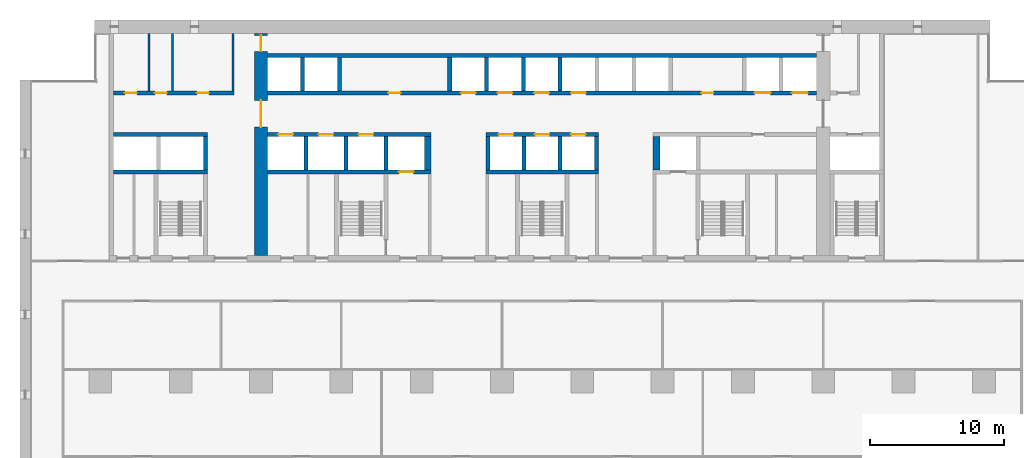
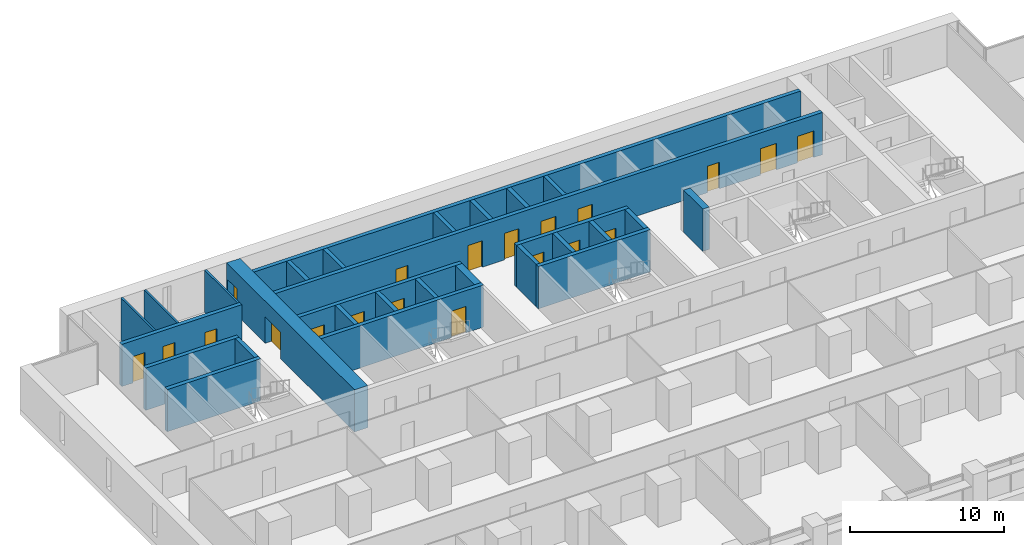
# One storey, part 11 of 18: 29 walls, 20 doors, 20 openings.
"""IFC4 building model written with IfcOpenShell, lengths in metres."""

from ifc_helpers import new_model, si_unit, direction, frame, frame_2d, origin, place, context, subcontext, project, spatial, rectangle, extrude, material, layer, layer_set, type_object, element, fill, save


model = new_model("IFC4")

# Units and contexts
model_context = context("Model", 3, precision=1e-05, world=origin(), true_north=direction((0.0, 1.0)))
body_context = subcontext(model_context, "Body", "Model", "MODEL_VIEW")
ifc_project = project(units=[si_unit("LENGTHUNIT", "METRE"), si_unit("AREAUNIT", "SQUARE_METRE"), si_unit("VOLUMEUNIT", "CUBIC_METRE"), si_unit("PLANEANGLEUNIT", "RADIAN"), si_unit("MASSUNIT", "GRAM", prefix="KILO")], contexts=[model_context])

# Site, building, storey
site_placement = place(None, origin())
site = spatial("IfcSite", under=ifc_project, at=site_placement, CompositionType="ELEMENT")
building_placement = place(site_placement, origin())
building = spatial("IfcBuilding", under=site, at=building_placement, Name="Calvaro Tower", CompositionType="ELEMENT")
storey_placement = place(building_placement, frame((0.0, 0.0, 45.0)))
storey = spatial("IfcBuildingStorey", under=building, at=storey_placement, Name="L10", CompositionType="ELEMENT", Elevation=45.0)

# Walls
ifc_material_1 = material(Name="Blockwork partition", Category="masonry")
ifc_layer_1 = layer(ifc_material_1, 0.14990234375)
ifc_layer_set_1 = layer_set([ifc_layer_1], Name="Blockwork partition")
wall_type_1 = type_object("IfcWallType", Name="Core partition 150 EI 60", PredefinedType="PARTITIONING", material=ifc_layer_set_1)
for number, where, z_axis, x_axis, name in (
    (1, (9.64990234375, 40.699951171875, 0.0), (0.0, 0.0, 1.0), (0.0, 1.0, 0.0), "Core partition"),
    (2, (11.39990234375, 40.699951171875, 0.0), (0.0, 0.0, 1.0), (0.0, 1.0, 0.0), "Core partition"),
):
    element("IfcWall", number, at=place(storey_placement, frame(where, z_axis=z_axis, x_axis=x_axis)), inside=storey, type_object=wall_type_1, Name=name, PredefinedType="PARTITIONING", context=body_context, shape_type="SweptSolid", body=[
        extrude(rectangle(XDim=4.300048828125, YDim=0.14990234375, at=frame_2d((2.14990234375, 0.0))), origin(), (0.0, 0.0, 1.0), 3.35009765625),
    ])
ifc_material_2 = material(Name="Blockwork partition", Category="masonry")
ifc_layer_2 = layer(ifc_material_2, 0.14990234375)
ifc_layer_set_2 = layer_set([ifc_layer_2], Name="Blockwork partition")
wall_type_2 = type_object("IfcWallType", Name="Core partition 150 REI 120", PredefinedType="PARTITIONING", material=ifc_layer_set_2)
wall_1_placement = place(storey_placement, frame((15.925048828125, 40.699951171875, 0.0), z_axis=(0.0, 0.0, 1.0), x_axis=(0.0, 1.0, 0.0)))
element("IfcWall", 3, at=wall_1_placement, inside=storey, type_object=wall_type_2, Name="Core partition", PredefinedType="PARTITIONING", context=body_context, shape_type="SweptSolid", body=[
    extrude(rectangle(XDim=4.300048828125, YDim=0.14990234375, at=frame_2d((2.14990234375, 0.0))), origin(), (0.0, 0.0, 1.0), 3.35009765625),
])

# Wall, openings, doors
ifc_material_3 = material(Name="Blockwork partition", Category="masonry")
ifc_layer_3 = layer(ifc_material_3, 0.300048828125)
ifc_layer_set_3 = layer_set([ifc_layer_3], Name="Blockwork partition")
wall_type_3 = type_object("IfcWallType", Name="Core partition 300 REI 120", PredefinedType="PARTITIONING", material=ifc_layer_set_3)
wall_2_placement = place(storey_placement, frame((7.0, 40.550048828125, 0.0), z_axis=(0.0, 0.0, 1.0), x_axis=(1.0, 0.0, 0.0)))
wall_2 = element("IfcWall", 4, at=wall_2_placement, inside=storey, type_object=wall_type_3, Name="Core partition", PredefinedType="PARTITIONING", context=body_context, shape_type="SweptSolid", body=[
    extrude(rectangle(XDim=9.0, YDim=0.300048828125, at=frame_2d((4.5, 0.0))), origin(), (0.0, 0.0, 1.0), 3.35009765625),
])
opening_1_placement = place(wall_2_placement, frame((0.83740234375, 0.0, 0.0)))
opening_1 = element("IfcOpeningElement", 5, at=opening_1_placement, cuts=wall_2, Name="Opening RD9", PredefinedType="OPENING", context=body_context, shape_type="SweptSolid", body=[
    extrude(rectangle(XDim=0.89990234375, YDim=2.10009765625, at=frame_2d((0.449951171875, 1.050048828125))), frame((0.0, 0.159912109375, 0.0), z_axis=(0.0, -1.0, 0.0), x_axis=(1.0, 0.0, 0.0)), (0.0, 0.0, 1.0), 0.320068359375),
])
opening_2_placement = place(wall_2_placement, frame((3.074951171875, 0.0, 0.0)))
opening_2 = element("IfcOpeningElement", 6, at=opening_2_placement, cuts=wall_2, Name="Opening RD9", PredefinedType="OPENING", context=body_context, shape_type="SweptSolid", body=[
    extrude(rectangle(XDim=0.89990234375, YDim=2.10009765625, at=frame_2d((0.449951171875, 1.050048828125))), frame((0.0, 0.159912109375, 0.0), z_axis=(0.0, -1.0, 0.0), x_axis=(1.0, 0.0, 0.0)), (0.0, 0.0, 1.0), 0.320068359375),
])
opening_3_placement = place(wall_2_placement, frame((6.21240234375, 0.0, 0.0)))
opening_3 = element("IfcOpeningElement", 7, at=opening_3_placement, cuts=wall_2, Name="Opening RD9", PredefinedType="OPENING", context=body_context, shape_type="SweptSolid", body=[
    extrude(rectangle(XDim=0.89990234375, YDim=2.10009765625, at=frame_2d((0.449951171875, 1.050048828125))), frame((0.0, 0.159912109375, 0.0), z_axis=(0.0, -1.0, 0.0), x_axis=(1.0, 0.0, 0.0)), (0.0, 0.0, 1.0), 0.320068359375),
])
ifc_material_4 = material(Name="Steel door set", Category="steel")
door_type_1 = type_object("IfcDoorType", Name="Room door 900", OperationType="SINGLE_SWING_LEFT", PredefinedType="DOOR", material=ifc_material_4)
door_1_placement = place(opening_1_placement, origin())
door_1 = element("IfcDoor", 8, at=door_1_placement, inside=storey, type_object=door_type_1, Name="Room door", OperationType="SINGLE_SWING_LEFT", OverallHeight=2.10009765625, OverallWidth=0.89990234375, PredefinedType="DOOR", context=body_context, shape_type="SweptSolid", body=[
    extrude(rectangle(XDim=0.89990234375, YDim=2.10009765625, at=frame_2d((0.449951171875, 1.050048828125))), frame((0.0, 0.02490234375, 0.0), z_axis=(0.0, -1.0, 0.0), x_axis=(1.0, 0.0, 0.0)), (0.0, 0.0, 1.0), 0.050048828125),
])
fill(opening_1, door_1)
door_2_placement = place(opening_2_placement, origin())
door_2 = element("IfcDoor", 9, at=door_2_placement, inside=storey, type_object=door_type_1, Name="Room door", OperationType="SINGLE_SWING_RIGHT", OverallHeight=2.10009765625, OverallWidth=0.89990234375, PredefinedType="DOOR", context=body_context, shape_type="SweptSolid", body=[
    extrude(rectangle(XDim=0.89990234375, YDim=2.10009765625, at=frame_2d((0.449951171875, 1.050048828125))), frame((0.0, 0.02490234375, 0.0), z_axis=(0.0, -1.0, 0.0), x_axis=(1.0, 0.0, 0.0)), (0.0, 0.0, 1.0), 0.050048828125),
])
fill(opening_2, door_2)
door_3_placement = place(opening_3_placement, origin())
door_3 = element("IfcDoor", 10, at=door_3_placement, inside=storey, type_object=door_type_1, Name="Room door", OperationType="SINGLE_SWING_LEFT", OverallHeight=2.10009765625, OverallWidth=0.89990234375, PredefinedType="DOOR", context=body_context, shape_type="SweptSolid", body=[
    extrude(rectangle(XDim=0.89990234375, YDim=2.10009765625, at=frame_2d((0.449951171875, 1.050048828125))), frame((0.0, 0.02490234375, 0.0), z_axis=(0.0, -1.0, 0.0), x_axis=(1.0, 0.0, 0.0)), (0.0, 0.0, 1.0), 0.050048828125),
])
fill(opening_3, door_3)

ifc_material_5 = material(Name="Concrete C80/95", Category="concrete")
ifc_layer_4 = layer(ifc_material_5, 1.0)
ifc_layer_set_4 = layer_set([ifc_layer_4], Name="Concrete C80/95")
wall_type_4 = type_object("IfcWallType", Name="Core wall C80/95 1000", PredefinedType="SHEAR", material=ifc_layer_set_4)
wall_3_placement = place(storey_placement, frame((18.0, 28.39990234375, 0.0), z_axis=(0.0, 0.0, 1.0), x_axis=(0.0, 1.0, 0.0)))
wall_3 = element("IfcWall", 11, at=wall_3_placement, inside=storey, type_object=wall_type_4, Name="Core wall, cross shear wall", PredefinedType="SHEAR", context=body_context, shape_type="SweptSolid", body=[
    extrude(rectangle(XDim=16.60009765625, YDim=1.0, at=frame_2d((8.300048828125, 0.0))), origin(), (0.0, 0.0, 1.0), 3.35009765625),
])
opening_4_placement = place(wall_3_placement, frame((9.60009765625, 0.0, 0.0)))
opening_4 = element("IfcOpeningElement", 12, at=opening_4_placement, cuts=wall_3, Name="Opening DD20D", PredefinedType="OPENING", context=body_context, shape_type="SweptSolid", body=[
    extrude(rectangle(XDim=2.0, YDim=2.10009765625, at=frame_2d((1.0, 1.050048828125))), frame((0.0, 0.510009765625, 0.0), z_axis=(0.0, -1.0, 0.0), x_axis=(1.0, 0.0, 0.0)), (0.0, 0.0, 1.0), 1.02001953125),
])
opening_5_placement = place(wall_3_placement, frame((15.25, 0.0, 0.0)))
opening_5 = element("IfcOpeningElement", 13, at=opening_5_placement, cuts=wall_3, Name="Opening FD12C", PredefinedType="OPENING", context=body_context, shape_type="SweptSolid", body=[
    extrude(rectangle(XDim=1.199951171875, YDim=2.10009765625, at=frame_2d((0.60009765625, 1.050048828125))), frame((0.0, 0.510009765625, 0.0), z_axis=(0.0, -1.0, 0.0), x_axis=(1.0, 0.0, 0.0)), (0.0, 0.0, 1.0), 1.02001953125),
])
ifc_material_6 = material(Name="Steel door set", Category="steel")
door_type_2 = type_object("IfcDoorType", Name="Fire door 1200 FD30", OperationType="SINGLE_SWING_LEFT", PredefinedType="DOOR", material=ifc_material_6)
door_4_placement = place(opening_5_placement, origin())
door_4 = element("IfcDoor", 14, at=door_4_placement, inside=storey, type_object=door_type_2, Name="Fire door", OperationType="SINGLE_SWING_LEFT", OverallHeight=2.10009765625, OverallWidth=1.199951171875, PredefinedType="DOOR", context=body_context, shape_type="SweptSolid", body=[
    extrude(rectangle(XDim=1.199951171875, YDim=2.10009765625, at=frame_2d((0.60009765625, 1.050048828125))), frame((0.0, 0.02490234375, 0.0), z_axis=(0.0, -1.0, 0.0), x_axis=(1.0, 0.0, 0.0)), (0.0, 0.0, 1.0), 0.050048828125),
])
fill(opening_5, door_4)
ifc_material_7 = material(Name="Steel door set", Category="steel")
door_type_3 = type_object("IfcDoorType", Name="Lobby double door 2000 FD30S", OperationType="DOUBLE_DOOR_SINGLE_SWING", PredefinedType="DOOR", material=ifc_material_7)
door_5_placement = place(opening_4_placement, origin())
door_5 = element("IfcDoor", 15, at=door_5_placement, inside=storey, type_object=door_type_3, Name="Lobby double door", OperationType="DOUBLE_DOOR_SINGLE_SWING", OverallHeight=2.10009765625, OverallWidth=2.0, PredefinedType="DOOR", context=body_context, shape_type="SweptSolid", body=[
    extrude(rectangle(XDim=2.0, YDim=2.10009765625, at=frame_2d((1.0, 1.050048828125))), frame((0.0, 0.02490234375, 0.0), z_axis=(0.0, -1.0, 0.0), x_axis=(1.0, 0.0, 0.0)), (0.0, 0.0, 1.0), 0.050048828125),
])
fill(opening_4, door_5)

# Wall
ifc_material_8 = material(Name="Concrete C80/95", Category="concrete")
ifc_layer_5 = layer(ifc_material_8, 0.300048828125)
ifc_layer_set_5 = layer_set([ifc_layer_5], Name="Concrete C80/95")
wall_type_5 = type_object("IfcWallType", Name="Core wall C80/95 300", PredefinedType="SHEAR", material=ifc_layer_set_5)
wall_4_placement = place(storey_placement, frame((7.0, 34.64990234375, 0.0), z_axis=(0.0, 0.0, 1.0), x_axis=(1.0, 0.0, 0.0)))
element("IfcWall", 16, at=wall_4_placement, inside=storey, type_object=wall_type_5, Name="Core wall, lift shaft", PredefinedType="SHEAR", context=body_context, shape_type="SweptSolid", body=[
    extrude(rectangle(XDim=7.0, YDim=0.300048828125, at=frame_2d((3.5, 0.0))), origin(), (0.0, 0.0, 1.0), 3.35009765625),
])

# Wall, opening, door
wall_5_placement = place(storey_placement, frame((18.5, 34.64990234375, 0.0), z_axis=(0.0, 0.0, 1.0), x_axis=(1.0, 0.0, 0.0)))
wall_5 = element("IfcWall", 17, at=wall_5_placement, inside=storey, type_object=wall_type_5, Name="Core wall, lift shaft", PredefinedType="SHEAR", context=body_context, shape_type="SweptSolid", body=[
    extrude(rectangle(XDim=12.199951171875, YDim=0.300048828125, at=frame_2d((6.10009765625, 0.0))), origin(), (0.0, 0.0, 1.0), 3.35009765625),
])
opening_6_placement = place(wall_5_placement, frame((9.800048828125, 0.0, 0.0)))
opening_6 = element("IfcOpeningElement", 18, at=opening_6_placement, cuts=wall_5, Name="Opening FF1", PredefinedType="OPENING", context=body_context, shape_type="SweptSolid", body=[
    extrude(rectangle(XDim=1.10009765625, YDim=2.10009765625, at=frame_2d((0.550048828125, 1.050048828125))), frame((0.0, 0.159912109375, 0.0), z_axis=(0.0, -1.0, 0.0), x_axis=(1.0, 0.0, 0.0)), (0.0, 0.0, 1.0), 0.320068359375),
])
ifc_material_9 = material(Name="Stainless steel", Category="steel")
door_type_4 = type_object("IfcDoorType", Name="Landing door 1100 E 60", OperationType="SLIDING_TO_LEFT", PredefinedType="DOOR", material=ifc_material_9)
door_6_placement = place(opening_6_placement, origin())
door_6 = element("IfcDoor", 19, at=door_6_placement, inside=storey, type_object=door_type_4, Name="Landing door FF1", OperationType="SLIDING_TO_LEFT", OverallHeight=2.10009765625, OverallWidth=1.10009765625, PredefinedType="DOOR", context=body_context, shape_type="SweptSolid", body=[
    extrude(rectangle(XDim=1.10009765625, YDim=2.10009765625, at=frame_2d((0.550048828125, 1.050048828125))), frame((0.0, 0.02490234375, 0.0), z_axis=(0.0, -1.0, 0.0), x_axis=(1.0, 0.0, 0.0)), (0.0, 0.0, 1.0), 0.050048828125),
])
fill(opening_6, door_6)

# Walls
wall_6_placement = place(storey_placement, frame((34.800048828125, 34.64990234375, 0.0), z_axis=(0.0, 0.0, 1.0), x_axis=(1.0, 0.0, 0.0)))
element("IfcWall", 20, at=wall_6_placement, inside=storey, type_object=wall_type_5, Name="Core wall, lift shaft", PredefinedType="SHEAR", context=body_context, shape_type="SweptSolid", body=[
    extrude(rectangle(XDim=8.39990234375, YDim=0.300048828125, at=frame_2d((4.199951171875, 0.0))), origin(), (0.0, 0.0, 1.0), 3.35009765625),
])
wall_7_placement = place(storey_placement, frame((7.0, 37.449951171875, 0.0), z_axis=(0.0, 0.0, 1.0), x_axis=(1.0, 0.0, 0.0)))
element("IfcWall", 21, at=wall_7_placement, inside=storey, type_object=wall_type_5, Name="Core wall, lift shaft", PredefinedType="SHEAR", context=body_context, shape_type="SweptSolid", body=[
    extrude(rectangle(XDim=7.0, YDim=0.300048828125, at=frame_2d((3.5, 0.0))), origin(), (0.0, 0.0, 1.0), 3.35009765625),
])

# Wall, openings, doors
wall_8_placement = place(storey_placement, frame((18.5, 37.449951171875, 0.0), z_axis=(0.0, 0.0, 1.0), x_axis=(1.0, 0.0, 0.0)))
wall_8 = element("IfcWall", 22, at=wall_8_placement, inside=storey, type_object=wall_type_5, Name="Core wall, lift shaft", PredefinedType="SHEAR", context=body_context, shape_type="SweptSolid", body=[
    extrude(rectangle(XDim=12.199951171875, YDim=0.300048828125, at=frame_2d((6.10009765625, 0.0))), origin(), (0.0, 0.0, 1.0), 3.35009765625),
])
opening_7_placement = place(wall_8_placement, frame((0.800048828125, 0.0, 0.0)))
opening_7 = element("IfcOpeningElement", 23, at=opening_7_placement, cuts=wall_8, Name="Opening LR1", PredefinedType="OPENING", context=body_context, shape_type="SweptSolid", body=[
    extrude(rectangle(XDim=1.10009765625, YDim=2.10009765625, at=frame_2d((0.550048828125, 1.050048828125))), frame((0.0, 0.159912109375, 0.0), z_axis=(0.0, -1.0, 0.0), x_axis=(1.0, 0.0, 0.0)), (0.0, 0.0, 1.0), 0.320068359375),
])
opening_8_placement = place(wall_8_placement, frame((3.800048828125, 0.0, 0.0)))
opening_8 = element("IfcOpeningElement", 24, at=opening_8_placement, cuts=wall_8, Name="Opening LR2", PredefinedType="OPENING", context=body_context, shape_type="SweptSolid", body=[
    extrude(rectangle(XDim=1.10009765625, YDim=2.10009765625, at=frame_2d((0.550048828125, 1.050048828125))), frame((0.0, 0.159912109375, 0.0), z_axis=(0.0, -1.0, 0.0), x_axis=(1.0, 0.0, 0.0)), (0.0, 0.0, 1.0), 0.320068359375),
])
opening_9_placement = place(wall_8_placement, frame((6.800048828125, 0.0, 0.0)))
opening_9 = element("IfcOpeningElement", 25, at=opening_9_placement, cuts=wall_8, Name="Opening LR3", PredefinedType="OPENING", context=body_context, shape_type="SweptSolid", body=[
    extrude(rectangle(XDim=1.10009765625, YDim=2.10009765625, at=frame_2d((0.550048828125, 1.050048828125))), frame((0.0, 0.159912109375, 0.0), z_axis=(0.0, -1.0, 0.0), x_axis=(1.0, 0.0, 0.0)), (0.0, 0.0, 1.0), 0.320068359375),
])
door_7_placement = place(opening_7_placement, origin())
door_7 = element("IfcDoor", 26, at=door_7_placement, inside=storey, type_object=door_type_4, Name="Landing door LR1", OperationType="SLIDING_TO_LEFT", OverallHeight=2.10009765625, OverallWidth=1.10009765625, PredefinedType="DOOR", context=body_context, shape_type="SweptSolid", body=[
    extrude(rectangle(XDim=1.10009765625, YDim=2.10009765625, at=frame_2d((0.550048828125, 1.050048828125))), frame((0.0, 0.02490234375, 0.0), z_axis=(0.0, -1.0, 0.0), x_axis=(1.0, 0.0, 0.0)), (0.0, 0.0, 1.0), 0.050048828125),
])
fill(opening_7, door_7)
door_8_placement = place(opening_8_placement, origin())
door_8 = element("IfcDoor", 27, at=door_8_placement, inside=storey, type_object=door_type_4, Name="Landing door LR2", OperationType="SLIDING_TO_LEFT", OverallHeight=2.10009765625, OverallWidth=1.10009765625, PredefinedType="DOOR", context=body_context, shape_type="SweptSolid", body=[
    extrude(rectangle(XDim=1.10009765625, YDim=2.10009765625, at=frame_2d((0.550048828125, 1.050048828125))), frame((0.0, 0.02490234375, 0.0), z_axis=(0.0, -1.0, 0.0), x_axis=(1.0, 0.0, 0.0)), (0.0, 0.0, 1.0), 0.050048828125),
])
fill(opening_8, door_8)
door_9_placement = place(opening_9_placement, origin())
door_9 = element("IfcDoor", 28, at=door_9_placement, inside=storey, type_object=door_type_4, Name="Landing door LR3", OperationType="SLIDING_TO_LEFT", OverallHeight=2.10009765625, OverallWidth=1.10009765625, PredefinedType="DOOR", context=body_context, shape_type="SweptSolid", body=[
    extrude(rectangle(XDim=1.10009765625, YDim=2.10009765625, at=frame_2d((0.550048828125, 1.050048828125))), frame((0.0, 0.02490234375, 0.0), z_axis=(0.0, -1.0, 0.0), x_axis=(1.0, 0.0, 0.0)), (0.0, 0.0, 1.0), 0.050048828125),
])
fill(opening_9, door_9)

wall_9_placement = place(storey_placement, frame((34.800048828125, 37.449951171875, 0.0), z_axis=(0.0, 0.0, 1.0), x_axis=(1.0, 0.0, 0.0)))
wall_9 = element("IfcWall", 29, at=wall_9_placement, inside=storey, type_object=wall_type_5, Name="Core wall, lift shaft", PredefinedType="SHEAR", context=body_context, shape_type="SweptSolid", body=[
    extrude(rectangle(XDim=8.39990234375, YDim=0.300048828125, at=frame_2d((4.199951171875, 0.0))), origin(), (0.0, 0.0, 1.0), 3.35009765625),
])
opening_10_placement = place(wall_9_placement, frame((0.949951171875, 0.0, 0.0)))
opening_10 = element("IfcOpeningElement", 30, at=opening_10_placement, cuts=wall_9, Name="Opening LR4", PredefinedType="OPENING", context=body_context, shape_type="SweptSolid", body=[
    extrude(rectangle(XDim=1.10009765625, YDim=2.10009765625, at=frame_2d((0.550048828125, 1.050048828125))), frame((0.0, 0.159912109375, 0.0), z_axis=(0.0, -1.0, 0.0), x_axis=(1.0, 0.0, 0.0)), (0.0, 0.0, 1.0), 0.320068359375),
])
opening_11_placement = place(wall_9_placement, frame((3.64990234375, 0.0, 0.0)))
opening_11 = element("IfcOpeningElement", 31, at=opening_11_placement, cuts=wall_9, Name="Opening LR5", PredefinedType="OPENING", context=body_context, shape_type="SweptSolid", body=[
    extrude(rectangle(XDim=1.10009765625, YDim=2.10009765625, at=frame_2d((0.550048828125, 1.050048828125))), frame((0.0, 0.159912109375, 0.0), z_axis=(0.0, -1.0, 0.0), x_axis=(1.0, 0.0, 0.0)), (0.0, 0.0, 1.0), 0.320068359375),
])
opening_12_placement = place(wall_9_placement, frame((6.35009765625, 0.0, 0.0)))
opening_12 = element("IfcOpeningElement", 32, at=opening_12_placement, cuts=wall_9, Name="Opening LR6", PredefinedType="OPENING", context=body_context, shape_type="SweptSolid", body=[
    extrude(rectangle(XDim=1.10009765625, YDim=2.10009765625, at=frame_2d((0.550048828125, 1.050048828125))), frame((0.0, 0.159912109375, 0.0), z_axis=(0.0, -1.0, 0.0), x_axis=(1.0, 0.0, 0.0)), (0.0, 0.0, 1.0), 0.320068359375),
])
door_10_placement = place(opening_10_placement, origin())
door_10 = element("IfcDoor", 33, at=door_10_placement, inside=storey, type_object=door_type_4, Name="Landing door LR4", OperationType="SLIDING_TO_LEFT", OverallHeight=2.10009765625, OverallWidth=1.10009765625, PredefinedType="DOOR", context=body_context, shape_type="SweptSolid", body=[
    extrude(rectangle(XDim=1.10009765625, YDim=2.10009765625, at=frame_2d((0.550048828125, 1.050048828125))), frame((0.0, 0.02490234375, 0.0), z_axis=(0.0, -1.0, 0.0), x_axis=(1.0, 0.0, 0.0)), (0.0, 0.0, 1.0), 0.050048828125),
])
fill(opening_10, door_10)
door_11_placement = place(opening_11_placement, origin())
door_11 = element("IfcDoor", 34, at=door_11_placement, inside=storey, type_object=door_type_4, Name="Landing door LR5", OperationType="SLIDING_TO_LEFT", OverallHeight=2.10009765625, OverallWidth=1.10009765625, PredefinedType="DOOR", context=body_context, shape_type="SweptSolid", body=[
    extrude(rectangle(XDim=1.10009765625, YDim=2.10009765625, at=frame_2d((0.550048828125, 1.050048828125))), frame((0.0, 0.02490234375, 0.0), z_axis=(0.0, -1.0, 0.0), x_axis=(1.0, 0.0, 0.0)), (0.0, 0.0, 1.0), 0.050048828125),
])
fill(opening_11, door_11)
door_12_placement = place(opening_12_placement, origin())
door_12 = element("IfcDoor", 35, at=door_12_placement, inside=storey, type_object=door_type_4, Name="Landing door LR6", OperationType="SLIDING_TO_LEFT", OverallHeight=2.10009765625, OverallWidth=1.10009765625, PredefinedType="DOOR", context=body_context, shape_type="SweptSolid", body=[
    extrude(rectangle(XDim=1.10009765625, YDim=2.10009765625, at=frame_2d((0.550048828125, 1.050048828125))), frame((0.0, 0.02490234375, 0.0), z_axis=(0.0, -1.0, 0.0), x_axis=(1.0, 0.0, 0.0)), (0.0, 0.0, 1.0), 0.050048828125),
])
fill(opening_12, door_12)

# Walls
for number, where, z_axis, x_axis, name in (
    (36, (27.35009765625, 34.800048828125, 0.0), (0.0, 0.0, 1.0), (0.0, 1.0, 0.0), "Core wall, lift shaft"),
    (37, (34.949951171875, 34.800048828125, 0.0), (0.0, 0.0, 1.0), (0.0, 1.0, 0.0), "Core wall, lift shaft"),
    (38, (43.050048828125, 34.800048828125, 0.0), (0.0, 0.0, 1.0), (0.0, 1.0, 0.0), "Core wall, lift shaft"),
    (39, (13.85009765625, 34.800048828125, 0.0), (0.0, 0.0, 1.0), (0.0, 1.0, 0.0), "Core wall, lift shaft"),
):
    element("IfcWall", number, at=place(storey_placement, frame(where, z_axis=z_axis, x_axis=x_axis)), inside=storey, type_object=wall_type_5, Name=name, PredefinedType="SHEAR", context=body_context, shape_type="SweptSolid", body=[
        extrude(rectangle(XDim=2.5, YDim=0.300048828125, at=frame_2d((1.25, 0.0))), origin(), (0.0, 0.0, 1.0), 3.35009765625),
    ])

# Wall, openings, doors
wall_10_placement = place(storey_placement, frame((18.5, 40.550048828125, 0.0), z_axis=(0.0, 0.0, 1.0), x_axis=(1.0, 0.0, 0.0)))
wall_10 = element("IfcWall", 40, at=wall_10_placement, inside=storey, type_object=wall_type_5, Name="Core wall, bay", PredefinedType="SHEAR", context=body_context, shape_type="SweptSolid", body=[
    extrude(rectangle(XDim=41.0, YDim=0.300048828125, at=frame_2d((20.5, 0.0))), origin(), (0.0, 0.0, 1.0), 3.35009765625),
])
opening_13_placement = place(wall_10_placement, frame((9.02490234375, 0.0, 0.0)))
opening_13 = element("IfcOpeningElement", 41, at=opening_13_placement, cuts=wall_10, Name="Opening RD9E", PredefinedType="OPENING", context=body_context, shape_type="SweptSolid", body=[
    extrude(rectangle(XDim=0.89990234375, YDim=2.10009765625, at=frame_2d((0.449951171875, 1.050048828125))), frame((0.0, 0.159912109375, 0.0), z_axis=(0.0, -1.0, 0.0), x_axis=(1.0, 0.0, 0.0)), (0.0, 0.0, 1.0), 0.320068359375),
])
opening_14_placement = place(wall_10_placement, frame((32.39990234375, 0.0, 0.0)))
opening_14 = element("IfcOpeningElement", 42, at=opening_14_placement, cuts=wall_10, Name="Opening RD9E", PredefinedType="OPENING", context=body_context, shape_type="SweptSolid", body=[
    extrude(rectangle(XDim=0.89990234375, YDim=2.10009765625, at=frame_2d((0.449951171875, 1.050048828125))), frame((0.0, 0.159912109375, 0.0), z_axis=(0.0, -1.0, 0.0), x_axis=(1.0, 0.0, 0.0)), (0.0, 0.0, 1.0), 0.320068359375),
])
opening_15_placement = place(wall_10_placement, frame((14.425048828125, 0.0, 0.0)))
opening_15 = element("IfcOpeningElement", 43, at=opening_15_placement, cuts=wall_10, Name="Opening LR7", PredefinedType="OPENING", context=body_context, shape_type="SweptSolid", body=[
    extrude(rectangle(XDim=1.10009765625, YDim=2.10009765625, at=frame_2d((0.550048828125, 1.050048828125))), frame((0.0, 0.159912109375, 0.0), z_axis=(0.0, -1.0, 0.0), x_axis=(1.0, 0.0, 0.0)), (0.0, 0.0, 1.0), 0.320068359375),
])
opening_16_placement = place(wall_10_placement, frame((17.175048828125, 0.0, 0.0)))
opening_16 = element("IfcOpeningElement", 44, at=opening_16_placement, cuts=wall_10, Name="Opening LR8", PredefinedType="OPENING", context=body_context, shape_type="SweptSolid", body=[
    extrude(rectangle(XDim=1.10009765625, YDim=2.10009765625, at=frame_2d((0.550048828125, 1.050048828125))), frame((0.0, 0.159912109375, 0.0), z_axis=(0.0, -1.0, 0.0), x_axis=(1.0, 0.0, 0.0)), (0.0, 0.0, 1.0), 0.320068359375),
])
opening_17_placement = place(wall_10_placement, frame((19.925048828125, 0.0, 0.0)))
opening_17 = element("IfcOpeningElement", 45, at=opening_17_placement, cuts=wall_10, Name="Opening LR9", PredefinedType="OPENING", context=body_context, shape_type="SweptSolid", body=[
    extrude(rectangle(XDim=1.10009765625, YDim=2.10009765625, at=frame_2d((0.550048828125, 1.050048828125))), frame((0.0, 0.159912109375, 0.0), z_axis=(0.0, -1.0, 0.0), x_axis=(1.0, 0.0, 0.0)), (0.0, 0.0, 1.0), 0.320068359375),
])
opening_18_placement = place(wall_10_placement, frame((22.675048828125, 0.0, 0.0)))
opening_18 = element("IfcOpeningElement", 46, at=opening_18_placement, cuts=wall_10, Name="Opening LR10", PredefinedType="OPENING", context=body_context, shape_type="SweptSolid", body=[
    extrude(rectangle(XDim=1.10009765625, YDim=2.10009765625, at=frame_2d((0.550048828125, 1.050048828125))), frame((0.0, 0.159912109375, 0.0), z_axis=(0.0, -1.0, 0.0), x_axis=(1.0, 0.0, 0.0)), (0.0, 0.0, 1.0), 0.320068359375),
])
opening_19_placement = place(wall_10_placement, frame((36.375, 0.0, 0.0)))
opening_19 = element("IfcOpeningElement", 47, at=opening_19_placement, cuts=wall_10, Name="Opening SV1", PredefinedType="OPENING", context=body_context, shape_type="SweptSolid", body=[
    extrude(rectangle(XDim=1.199951171875, YDim=2.10009765625, at=frame_2d((0.60009765625, 1.050048828125))), frame((0.0, 0.159912109375, 0.0), z_axis=(0.0, -1.0, 0.0), x_axis=(1.0, 0.0, 0.0)), (0.0, 0.0, 1.0), 0.320068359375),
])
opening_20_placement = place(wall_10_placement, frame((39.14990234375, 0.0, 0.0)))
opening_20 = element("IfcOpeningElement", 48, at=opening_20_placement, cuts=wall_10, Name="Opening SV2", PredefinedType="OPENING", context=body_context, shape_type="SweptSolid", body=[
    extrude(rectangle(XDim=1.199951171875, YDim=2.10009765625, at=frame_2d((0.60009765625, 1.050048828125))), frame((0.0, 0.159912109375, 0.0), z_axis=(0.0, -1.0, 0.0), x_axis=(1.0, 0.0, 0.0)), (0.0, 0.0, 1.0), 0.320068359375),
])
door_13_placement = place(opening_15_placement, origin())
door_13 = element("IfcDoor", 49, at=door_13_placement, inside=storey, type_object=door_type_4, Name="Landing door LR7", OperationType="SLIDING_TO_LEFT", OverallHeight=2.10009765625, OverallWidth=1.10009765625, PredefinedType="DOOR", context=body_context, shape_type="SweptSolid", body=[
    extrude(rectangle(XDim=1.10009765625, YDim=2.10009765625, at=frame_2d((0.550048828125, 1.050048828125))), frame((0.0, 0.02490234375, 0.0), z_axis=(0.0, -1.0, 0.0), x_axis=(1.0, 0.0, 0.0)), (0.0, 0.0, 1.0), 0.050048828125),
])
fill(opening_15, door_13)
door_14_placement = place(opening_16_placement, origin())
door_14 = element("IfcDoor", 50, at=door_14_placement, inside=storey, type_object=door_type_4, Name="Landing door LR8", OperationType="SLIDING_TO_LEFT", OverallHeight=2.10009765625, OverallWidth=1.10009765625, PredefinedType="DOOR", context=body_context, shape_type="SweptSolid", body=[
    extrude(rectangle(XDim=1.10009765625, YDim=2.10009765625, at=frame_2d((0.550048828125, 1.050048828125))), frame((0.0, 0.02490234375, 0.0), z_axis=(0.0, -1.0, 0.0), x_axis=(1.0, 0.0, 0.0)), (0.0, 0.0, 1.0), 0.050048828125),
])
fill(opening_16, door_14)
door_15_placement = place(opening_17_placement, origin())
door_15 = element("IfcDoor", 51, at=door_15_placement, inside=storey, type_object=door_type_4, Name="Landing door LR9", OperationType="SLIDING_TO_LEFT", OverallHeight=2.10009765625, OverallWidth=1.10009765625, PredefinedType="DOOR", context=body_context, shape_type="SweptSolid", body=[
    extrude(rectangle(XDim=1.10009765625, YDim=2.10009765625, at=frame_2d((0.550048828125, 1.050048828125))), frame((0.0, 0.02490234375, 0.0), z_axis=(0.0, -1.0, 0.0), x_axis=(1.0, 0.0, 0.0)), (0.0, 0.0, 1.0), 0.050048828125),
])
fill(opening_17, door_15)
door_16_placement = place(opening_18_placement, origin())
door_16 = element("IfcDoor", 52, at=door_16_placement, inside=storey, type_object=door_type_4, Name="Landing door LR10", OperationType="SLIDING_TO_LEFT", OverallHeight=2.10009765625, OverallWidth=1.10009765625, PredefinedType="DOOR", context=body_context, shape_type="SweptSolid", body=[
    extrude(rectangle(XDim=1.10009765625, YDim=2.10009765625, at=frame_2d((0.550048828125, 1.050048828125))), frame((0.0, 0.02490234375, 0.0), z_axis=(0.0, -1.0, 0.0), x_axis=(1.0, 0.0, 0.0)), (0.0, 0.0, 1.0), 0.050048828125),
])
fill(opening_18, door_16)
ifc_material_10 = material(Name="Stainless steel", Category="steel")
door_type_5 = type_object("IfcDoorType", Name="Landing door 1200 E 60", OperationType="SLIDING_TO_LEFT", PredefinedType="DOOR", material=ifc_material_10)
door_17_placement = place(opening_19_placement, origin())
door_17 = element("IfcDoor", 53, at=door_17_placement, inside=storey, type_object=door_type_5, Name="Landing door SV1", OperationType="SLIDING_TO_LEFT", OverallHeight=2.10009765625, OverallWidth=1.199951171875, PredefinedType="DOOR", context=body_context, shape_type="SweptSolid", body=[
    extrude(rectangle(XDim=1.199951171875, YDim=2.10009765625, at=frame_2d((0.60009765625, 1.050048828125))), frame((0.0, 0.02490234375, 0.0), z_axis=(0.0, -1.0, 0.0), x_axis=(1.0, 0.0, 0.0)), (0.0, 0.0, 1.0), 0.050048828125),
])
fill(opening_19, door_17)
door_18_placement = place(opening_20_placement, origin())
door_18 = element("IfcDoor", 54, at=door_18_placement, inside=storey, type_object=door_type_5, Name="Landing door SV2", OperationType="SLIDING_TO_LEFT", OverallHeight=2.10009765625, OverallWidth=1.199951171875, PredefinedType="DOOR", context=body_context, shape_type="SweptSolid", body=[
    extrude(rectangle(XDim=1.199951171875, YDim=2.10009765625, at=frame_2d((0.60009765625, 1.050048828125))), frame((0.0, 0.02490234375, 0.0), z_axis=(0.0, -1.0, 0.0), x_axis=(1.0, 0.0, 0.0)), (0.0, 0.0, 1.0), 0.050048828125),
])
fill(opening_20, door_18)
ifc_material_11 = material(Name="Steel door set", Category="steel")
door_type_6 = type_object("IfcDoorType", Name="Room door 900 FD60", OperationType="SINGLE_SWING_LEFT", PredefinedType="DOOR", material=ifc_material_11)
door_19_placement = place(opening_13_placement, origin())
door_19 = element("IfcDoor", 55, at=door_19_placement, inside=storey, type_object=door_type_6, Name="Room door", OperationType="SINGLE_SWING_RIGHT", OverallHeight=2.10009765625, OverallWidth=0.89990234375, PredefinedType="DOOR", context=body_context, shape_type="SweptSolid", body=[
    extrude(rectangle(XDim=0.89990234375, YDim=2.10009765625, at=frame_2d((0.449951171875, 1.050048828125))), frame((0.0, 0.02490234375, 0.0), z_axis=(0.0, -1.0, 0.0), x_axis=(1.0, 0.0, 0.0)), (0.0, 0.0, 1.0), 0.050048828125),
])
fill(opening_13, door_19)
door_20_placement = place(opening_14_placement, origin())
door_20 = element("IfcDoor", 56, at=door_20_placement, inside=storey, type_object=door_type_6, Name="Room door", OperationType="SINGLE_SWING_LEFT", OverallHeight=2.10009765625, OverallWidth=0.89990234375, PredefinedType="DOOR", context=body_context, shape_type="SweptSolid", body=[
    extrude(rectangle(XDim=0.89990234375, YDim=2.10009765625, at=frame_2d((0.449951171875, 1.050048828125))), frame((0.0, 0.02490234375, 0.0), z_axis=(0.0, -1.0, 0.0), x_axis=(1.0, 0.0, 0.0)), (0.0, 0.0, 1.0), 0.050048828125),
])
fill(opening_14, door_20)

# Walls
wall_11_placement = place(storey_placement, frame((18.5, 43.35009765625, 0.0), z_axis=(0.0, 0.0, 1.0), x_axis=(1.0, 0.0, 0.0)))
element("IfcWall", 57, at=wall_11_placement, inside=storey, type_object=wall_type_5, Name="Core wall, lift shaft", PredefinedType="SHEAR", context=body_context, shape_type="SweptSolid", body=[
    extrude(rectangle(XDim=41.0, YDim=0.300048828125, at=frame_2d((20.5, 0.0))), origin(), (0.0, 0.0, 1.0), 3.35009765625),
])
for number, where, z_axis, x_axis, name in (
    (58, (21.35009765625, 34.800048828125, 0.0), (0.0, 0.0, 1.0), (0.0, 1.0, 0.0), "Core wall, lift shaft"),
    (59, (24.35009765625, 34.800048828125, 0.0), (0.0, 0.0, 1.0), (0.0, 1.0, 0.0), "Core wall, lift shaft"),
    (60, (37.64990234375, 34.800048828125, 0.0), (0.0, 0.0, 1.0), (0.0, 1.0, 0.0), "Core wall, lift shaft"),
    (61, (40.35009765625, 34.800048828125, 0.0), (0.0, 0.0, 1.0), (0.0, 1.0, 0.0), "Core wall, lift shaft"),
    (62, (21.10009765625, 40.699951171875, 0.0), (0.0, 0.0, 1.0), (0.0, 1.0, 0.0), "Core wall, lift shaft"),
    (63, (23.85009765625, 40.699951171875, 0.0), (0.0, 0.0, 1.0), (0.0, 1.0, 0.0), "Core wall, lift shaft"),
    (64, (32.10009765625, 40.699951171875, 0.0), (0.0, 0.0, 1.0), (0.0, 1.0, 0.0), "Core wall, lift shaft"),
    (65, (34.85009765625, 40.699951171875, 0.0), (0.0, 0.0, 1.0), (0.0, 1.0, 0.0), "Core wall, lift shaft"),
    (66, (37.60009765625, 40.699951171875, 0.0), (0.0, 0.0, 1.0), (0.0, 1.0, 0.0), "Core wall, lift shaft"),
    (67, (40.35009765625, 40.699951171875, 0.0), (0.0, 0.0, 1.0), (0.0, 1.0, 0.0), "Core wall, lift shaft"),
):
    element("IfcWall", number, at=place(storey_placement, frame(where, z_axis=z_axis, x_axis=x_axis)), inside=storey, type_object=wall_type_5, Name=name, PredefinedType="SHEAR", context=body_context, shape_type="SweptSolid", body=[
        extrude(rectangle(XDim=2.5, YDim=0.300048828125, at=frame_2d((1.25, 0.0))), origin(), (0.0, 0.0, 1.0), 3.35009765625),
    ])
ifc_material_12 = material(Name="Concrete C80/95", Category="concrete")
ifc_layer_6 = layer(ifc_material_12, 0.5)
ifc_layer_set_6 = layer_set([ifc_layer_6], Name="Concrete C80/95")
wall_type_6 = type_object("IfcWallType", Name="Core wall C80/95 500", PredefinedType="SHEAR", material=ifc_layer_set_6)
for number, where, z_axis, x_axis, name in (
    (68, (30.449951171875, 34.800048828125, 0.0), (0.0, 0.0, 1.0), (0.0, 1.0, 0.0), "Core wall, lift shaft"),
    (69, (47.550048828125, 34.800048828125, 0.0), (0.0, 0.0, 1.0), (0.0, 1.0, 0.0), "Core wall, lift shaft"),
):
    element("IfcWall", number, at=place(storey_placement, frame(where, z_axis=z_axis, x_axis=x_axis)), inside=storey, type_object=wall_type_6, Name=name, PredefinedType="SHEAR", context=body_context, shape_type="SweptSolid", body=[
        extrude(rectangle(XDim=2.5, YDim=0.5, at=frame_2d((1.25, 0.0))), origin(), (0.0, 0.0, 1.0), 3.35009765625),
    ])

save(model, "model.ifc")
